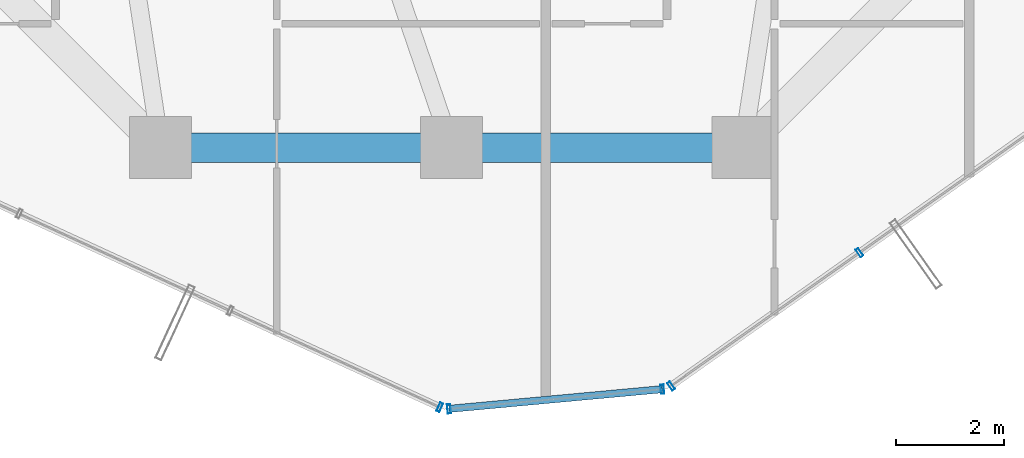
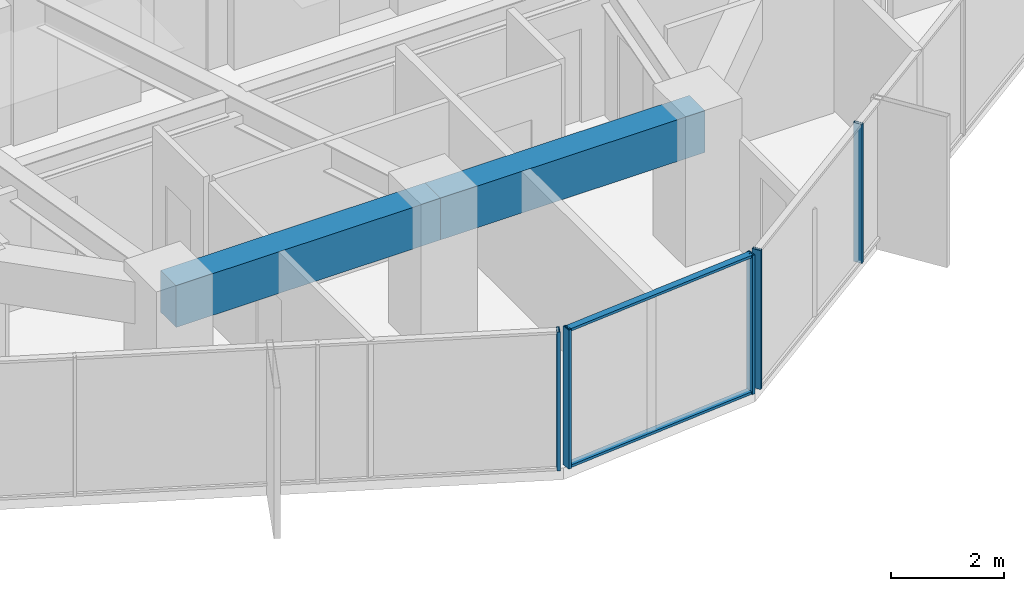
# One storey, part 6 of 33: 7 members, 2 beams, 3 elements without a shape of their own.
"""IFC4 building model written with IfcOpenShell, lengths in metres."""

import ifcopenshell
import ifcopenshell.guid

model = None  # the IFC model being written
_history = None  # IfcOwnerHistory: only IFC2X3 demands one
_inside = {}  # id of a spatial element -> (the spatial element, [elements in it])
_under = {}  # id of a project, library or spatial element -> (it, [spatial elements below it])
_declared = {}  # id of a project -> (the project, [libraries it declares])
_typed = {}  # id of a type object -> (the type object, [elements of that type])
_made_of = {}  # id of a material, layer set ... -> (it, [elements and type objects made of it])


def new_model(schema):
    """Start an empty IFC model of exactly this schema.

    Asked for "IFC4X3", IfcOpenShell would pick the latest addendum, in which some entities
    have other attributes; the version numbers below select the first issue.
    IFC2X3 requires an IfcOwnerHistory on every rooted entity: one is made here for all.
    """
    global model, _history
    if schema == "IFC4X3":
        model = ifcopenshell.file(schema_version=(4, 3, 0, 0))
    else:
        model = ifcopenshell.file(schema=schema)
    _inside.clear()
    _under.clear()
    _declared.clear()
    _typed.clear()
    _made_of.clear()
    _history = None
    if model.schema == "IFC2X3":
        org = make("IfcOrganization", Name="unknown")
        user = make(
            "IfcPersonAndOrganization",
            ThePerson=make("IfcPerson", FamilyName="unknown"),
            TheOrganization=org,
        )
        app = make(
            "IfcApplication",
            ApplicationDeveloper=org,
            Version="unknown",
            ApplicationFullName="unknown",
            ApplicationIdentifier="unknown",
        )
        _history = make(
            "IfcOwnerHistory",
            OwningUser=user,
            OwningApplication=app,
            ChangeAction="ADDED",
            CreationDate=0,
        )
    return model


def make(cls, **values):
    """One entity of the class cls with the attributes given. An attribute that is None is left unset."""
    return model.create_entity(
        cls, **{name: value for name, value in values.items() if value is not None}
    )


def rooted(cls, **values):
    """An entity with a GlobalId (a new one), such as an element, a storey or a relation."""
    return make(cls, GlobalId=ifcopenshell.guid.new(), OwnerHistory=_history, **values)


def si_unit(unit_type, name, prefix=None):
    """IfcSIUnit, for example si_unit("LENGTHUNIT", "METRE", prefix="MILLI")."""
    return make("IfcSIUnit", UnitType=unit_type, Prefix=prefix, Name=name)


def assignment(units):
    """IfcUnitAssignment: the units of a project."""
    return None if units is None else make("IfcUnitAssignment", Units=units)


def point(xyz):
    """IfcCartesianPoint."""
    return None if xyz is None else make("IfcCartesianPoint", Coordinates=xyz)


def direction(xyz):
    """IfcDirection."""
    return None if xyz is None else make("IfcDirection", DirectionRatios=xyz)


def frame(location, z_axis=None, x_axis=None):
    """IfcAxis2Placement3D, a coordinate frame: its origin and axes. An axis left out is left unset."""
    return make(
        "IfcAxis2Placement3D",
        Location=point(location),
        Axis=direction(z_axis),
        RefDirection=direction(x_axis),
    )


def frame_2d(location, x_axis=None):
    """IfcAxis2Placement2D, a coordinate frame in the plane: its origin and x axis."""
    return make(
        "IfcAxis2Placement2D", Location=point(location), RefDirection=direction(x_axis)
    )


def origin():
    """The frame at (0, 0, 0) with its axes left unset."""
    return frame((0.0, 0.0, 0.0))


def origin_2d():
    """The frame at (0, 0) in the plane with its x axis left unset."""
    return frame_2d((0.0, 0.0))


def place(relative_to, where):
    """IfcLocalPlacement: puts the frame where relative to a parent placement (None: the world)."""
    return make(
        "IfcLocalPlacement", PlacementRelTo=relative_to, RelativePlacement=where
    )


def context(
    kind, dimensions, precision=None, world=None, true_north=None, identifier=None
):
    """IfcGeometricRepresentationContext, for example the 3D "Model" context."""
    return make(
        "IfcGeometricRepresentationContext",
        ContextIdentifier=identifier,
        ContextType=kind,
        CoordinateSpaceDimension=dimensions,
        Precision=precision,
        WorldCoordinateSystem=world,
        TrueNorth=true_north,
    )


def subcontext(parent, identifier, kind, view, scale=None):
    """IfcGeometricRepresentationSubContext, for example "Body" below "Model"."""
    return make(
        "IfcGeometricRepresentationSubContext",
        ContextIdentifier=identifier,
        ContextType=kind,
        ParentContext=parent,
        TargetScale=scale,
        TargetView=view,
    )


def project(units=None, contexts=None):
    """IfcProject with its units and contexts."""
    return rooted(
        "IfcProject",
        Name="project",
        RepresentationContexts=contexts,
        UnitsInContext=assignment(units),
    )


def spatial(cls, under=None, at=None, **own):
    """A site, building, storey or space (cls), placed at a placement, below another one or the project."""
    s = rooted(cls, ObjectPlacement=at, **own)
    if under is not None:
        _under.setdefault(under.id(), (under, []))[1].append(s)
    return s


def profile(cls, at=None, kind="AREA", **sizes):
    """A parametric profile (cls). Its sizes go by their IFC names, for example OverallWidth=200.0."""
    return make(cls, ProfileType=kind, Position=at, **sizes)


def rectangle(**sizes):
    """IfcRectangleProfileDef."""
    return profile("IfcRectangleProfileDef", **sizes)


def hollow_rectangle(**sizes):
    """IfcRectangleHollowProfileDef."""
    return profile("IfcRectangleHollowProfileDef", **sizes)


def extrude(swept, where, along, depth):
    """IfcExtrudedAreaSolid: the profile swept, set in the frame where, extruded along a direction by depth."""
    return make(
        "IfcExtrudedAreaSolid",
        SweptArea=swept,
        Position=where,
        ExtrudedDirection=direction(along),
        Depth=depth,
    )


def shape(context_of_items, identifier, shape_type, items):
    """IfcShapeRepresentation: the items that make up one representation, for example the "Body"."""
    return make(
        "IfcShapeRepresentation",
        ContextOfItems=context_of_items,
        RepresentationIdentifier=identifier,
        RepresentationType=shape_type,
        Items=items,
    )


def source(mapping_origin, context_of_items, identifier, shape_type, items):
    """IfcRepresentationMap: a shape defined once, which mapped items show again and again."""
    return make(
        "IfcRepresentationMap",
        MappingOrigin=mapping_origin,
        MappedRepresentation=shape(context_of_items, identifier, shape_type, items),
    )


def transform(
    local_origin,
    x_axis=None,
    y_axis=None,
    z_axis=None,
    scale=None,
    scale2=None,
    scale3=None,
    uniform=True,
):
    """IfcCartesianTransformationOperator3D, or its non-uniform kind. x_axis, y_axis, z_axis: its Axis1, 2, 3."""
    if uniform:
        return make(
            "IfcCartesianTransformationOperator3D",
            Axis1=direction(x_axis),
            Axis2=direction(y_axis),
            LocalOrigin=point(local_origin),
            Scale=scale,
            Axis3=direction(z_axis),
        )
    return make(
        "IfcCartesianTransformationOperator3DnonUniform",
        Axis1=direction(x_axis),
        Axis2=direction(y_axis),
        LocalOrigin=point(local_origin),
        Scale=scale,
        Axis3=direction(z_axis),
        Scale2=scale2,
        Scale3=scale3,
    )


def mapped(mapping_source, mapping_target):
    """IfcMappedItem: shows the shape of a source again, moved by a transform."""
    return make(
        "IfcMappedItem", MappingSource=mapping_source, MappingTarget=mapping_target
    )


def material(Name=None, Category=None):
    """IfcMaterial."""
    return make("IfcMaterial", Name=Name, Category=Category)


def layer(
    of_material, thickness, ventilated=None, Name=None, Category=None, Priority=None
):
    """IfcMaterialLayer: one layer of a wall or slab, of a material (None: an air gap)."""
    return make(
        "IfcMaterialLayer",
        Material=of_material,
        LayerThickness=thickness,
        IsVentilated=ventilated,
        Name=Name,
        Category=Category,
        Priority=Priority,
    )


def layer_set(layers, Name=None):
    """IfcMaterialLayerSet."""
    return make("IfcMaterialLayerSet", MaterialLayers=layers, LayerSetName=Name)


def material_profile(
    of_material, cross_section, Name=None, Category=None, Priority=None
):
    """IfcMaterialProfile: a cross section and its material."""
    return make(
        "IfcMaterialProfile",
        Name=Name,
        Material=of_material,
        Profile=cross_section,
        Priority=Priority,
        Category=Category,
    )


def profile_set(profiles, Name=None, composite=None):
    """IfcMaterialProfileSet."""
    return make(
        "IfcMaterialProfileSet",
        Name=Name,
        MaterialProfiles=profiles,
        CompositeProfile=composite,
    )


def made_of(thing, what):
    """Note that an element or type object is made of a material, layer set ...; save() writes the relation."""
    if what is not None:
        _made_of.setdefault(what.id(), (what, []))[1].append(thing)
    return thing


def type_object(cls, material=None, **own):
    """A type object (cls), such as IfcWallType, which elements share."""
    return made_of(rooted(cls, **own), material)


def element(
    cls,
    number,
    at=None,
    inside=None,
    cuts=None,
    type_object=None,
    material=None,
    context=None,
    identifier="Body",
    shape_type=None,
    held_by="IfcProductDefinitionShape",
    body=None,
    shapes=None,
    **own,
):
    """One element of the class cls, such as IfcWall. Its Tag is "e" and its number.

    at: its placement. inside: the storey or other place that contains it. cuts: it is an
    opening in that element (IfcRelVoidsElement). A single representation is given by context,
    identifier, shape_type and body (its items); several are given by shapes. held_by: the class
    of the entity that holds the representations. save() writes the other relations.
    """
    e = rooted(cls, Tag="e%d" % number, ObjectPlacement=at, **own)
    if body is not None:
        shapes = [shape(context, identifier, shape_type, body)]
    if shapes is not None:
        e.Representation = make(held_by, Representations=shapes)
    if inside is not None:
        _inside.setdefault(inside.id(), (inside, []))[1].append(e)
    if cuts is not None:
        rooted(
            "IfcRelVoidsElement", RelatingBuildingElement=cuts, RelatedOpeningElement=e
        )
    if type_object is not None:
        _typed.setdefault(type_object.id(), (type_object, []))[1].append(e)
    return made_of(e, material)


def aggregate(whole, parts):
    """IfcRelAggregates: a whole, such as a stair, and the parts it consists of."""
    return rooted("IfcRelAggregates", RelatingObject=whole, RelatedObjects=parts)


def save(model, path):
    """Write the relations noted so far, then the file.

    IfcRelAggregates (storeys below a building ...), IfcRelContainedInSpatialStructure (elements
    in a storey), IfcRelDefinesByType, IfcRelAssociatesMaterial and IfcRelDeclares: one each for
    every whole, place, type object, material and project.
    """
    for whole, parts in _under.values():
        aggregate(whole, parts)
    for where, things in _inside.values():
        rooted(
            "IfcRelContainedInSpatialStructure",
            RelatedElements=things,
            RelatingStructure=where,
        )
    for kind, things in _typed.values():
        rooted("IfcRelDefinesByType", RelatedObjects=things, RelatingType=kind)
    for what, things in _made_of.values():
        rooted("IfcRelAssociatesMaterial", RelatedObjects=things, RelatingMaterial=what)
    for by, libraries in _declared.values():
        rooted("IfcRelDeclares", RelatingContext=by, RelatedDefinitions=libraries)
    model.write(path)


model = new_model("IFC4")

# Units and contexts
model_context = context("Model", 3, precision=1e-05, world=origin(), true_north=direction((0.0, 1.0)))
body_context = subcontext(model_context, "Body", "Model", "MODEL_VIEW")
ifc_project = project(units=[si_unit("LENGTHUNIT", "METRE"), si_unit("AREAUNIT", "SQUARE_METRE"), si_unit("VOLUMEUNIT", "CUBIC_METRE"), si_unit("PLANEANGLEUNIT", "RADIAN"), si_unit("MASSUNIT", "GRAM", prefix="KILO")], contexts=[model_context])

# Site, building, storey
site_placement = place(None, origin())
site = spatial("IfcSite", under=ifc_project, at=site_placement, CompositionType="ELEMENT")
building_placement = place(site_placement, origin())
building = spatial("IfcBuilding", under=site, at=building_placement, Name="Veraguas Prism Commons", CompositionType="ELEMENT")
storey_placement = place(building_placement, frame((0.0, 0.0, 145.75)))
storey = spatial("IfcBuildingStorey", under=building, at=storey_placement, Name="L41", CompositionType="ELEMENT", Elevation=145.75)

# Beams
ifc_material_1 = material(Name="Concrete C50/60", Category="concrete")
ifc_material_profile_1 = material_profile(ifc_material_1, rectangle(XDim=0.550048828125, YDim=0.89990234375, at=origin_2d()), Name="RC550X900")
ifc_profile_set_1 = profile_set([ifc_material_profile_1], Name="Concrete C50/60")
beam_type = type_object("IfcBeamType", Name="Perimeter Spandrel Lower RC 550x900", PredefinedType="SPANDREL", material=ifc_profile_set_1)
for number, where, z_axis, x_axis, name in (
    (1, (18.60009765625, 7.800048828125, 2.550048828125), (1.0, 0.0, 0.0), (0.0, 1.0, 0.0), "Perimeter Spandrel Beam L41-SP10"),
    (2, (24.0, 7.800048828125, 2.550048828125), (1.0, 0.0, 0.0), (0.0, 1.0, 0.0), "Perimeter Spandrel Beam L41-SP11"),
):
    element("IfcBeam", number, at=place(storey_placement, frame(where, z_axis=z_axis, x_axis=x_axis)), inside=storey, type_object=beam_type, Name=name, PredefinedType="SPANDREL", context=body_context, shape_type="SweptSolid", body=[
        extrude(rectangle(XDim=0.550048828125, YDim=0.89990234375, at=origin_2d()), origin(), (0.0, 0.0, 1.0), 5.39990234375),
    ])

# Curtain wall, member
ifc_material_2 = material(Name="Anodised aluminium EN AW-6063 T6", Category="aluminium")
ifc_layer = layer(ifc_material_2, 0.169921875, Name="Unitised Flush Curtain Wall Zone 2", Category="aluminium")
ifc_layer_set = layer_set([ifc_layer], Name="Anodised aluminium EN AW-6063 T6")
curtain_wall_type = type_object("IfcCurtainWallType", Name="Unitised Flush Curtain Wall Zone 2", PredefinedType="NOTDEFINED", material=ifc_layer_set)
curtain_wall_1_placement = place(storey_placement, origin())
curtain_wall_1 = element("IfcCurtainWall", 3, at=curtain_wall_1_placement, inside=storey, type_object=curtain_wall_type, Name="Tower Facade Curtain Wall L41-F4", PredefinedType="NOTDEFINED")
ifc_material_profile_2 = material_profile(ifc_material_2, hollow_rectangle(XDim=0.06005859375, YDim=0.169921875, WallThickness=0.00390625, at=origin_2d()), Name="AL60X170X4")
ifc_profile_set_2 = profile_set([ifc_material_profile_2], Name="Anodised aluminium EN AW-6063 T6")
member_type_1 = type_object("IfcMemberType", Name="Curtain Wall Mullion Lower AL 60x170x4", PredefinedType="MULLION", material=ifc_profile_set_2)
shared_shape_1 = source(origin(), body_context, "Body", "SweptSolid", [
    extrude(hollow_rectangle(XDim=0.06005859375, YDim=0.169921875, WallThickness=0.00390625, at=origin_2d()), origin(), (0.0, 0.0, 1.0), 3.0),
])
member_1_placement = place(storey_placement, frame((23.778564453125, 2.984375, 0.0), z_axis=(0.0, 0.0, 1.0), x_axis=(0.908362988922, -0.418182592124, 0.0)))
member_1 = element("IfcMember", 4, at=member_1_placement, type_object=member_type_1, Name="CW-Z2 Mullion 5", PredefinedType="MULLION", context=body_context, shape_type="MappedRepresentation", body=[
    mapped(shared_shape_1, transform((0.0, 0.0, 0.0), scale=1.0)),
])
aggregate(curtain_wall_1, [member_1])

# Curtain wall, members
curtain_wall_2_placement = place(storey_placement, origin())
curtain_wall_2 = element("IfcCurtainWall", 5, at=curtain_wall_2_placement, inside=storey, type_object=curtain_wall_type, Name="Tower Facade Curtain Wall L41-F5", PredefinedType="NOTDEFINED")
member_2_placement = place(storey_placement, frame((28.069091796875, 3.380859375, 0.0), z_axis=(0.0, 0.0, 1.0), x_axis=(0.81634227487, 0.577568429072, 0.0)))
member_2 = element("IfcMember", 6, at=member_2_placement, type_object=member_type_1, Name="CW-Z2 Mullion 1", PredefinedType="MULLION", context=body_context, shape_type="MappedRepresentation", body=[
    mapped(shared_shape_1, transform((0.0, 0.0, 0.0), scale=1.0)),
])
member_3_placement = place(storey_placement, frame((31.56201171875, 5.85205078125, 0.0), z_axis=(0.0, 0.0, 1.0), x_axis=(0.81634227487, 0.577568429072, 0.0)))
member_3 = element("IfcMember", 7, at=member_3_placement, type_object=member_type_1, Name="CW-Z2 Mullion 2", PredefinedType="MULLION", context=body_context, shape_type="MappedRepresentation", body=[
    mapped(shared_shape_1, transform((0.0, 0.0, 0.0), scale=1.0)),
])
aggregate(curtain_wall_2, [member_2, member_3])

curtain_wall_3_placement = place(storey_placement, origin())
curtain_wall_3 = element("IfcCurtainWall", 8, at=curtain_wall_3_placement, inside=storey, type_object=curtain_wall_type, Name="Chamfer Curtain Wall L41-C5", PredefinedType="NOTDEFINED")
member_4_placement = place(storey_placement, frame((23.94970703125, 2.955078125, 0.0), z_axis=(0.0, 0.0, 1.0), x_axis=(0.995755756591, 0.092035173796, 0.0)))
member_4 = element("IfcMember", 9, at=member_4_placement, type_object=member_type_1, Name="CW-Z2 Mullion 1", PredefinedType="MULLION", context=body_context, shape_type="MappedRepresentation", body=[
    mapped(shared_shape_1, transform((0.0, 0.0, 0.0), scale=1.0)),
])
member_5_placement = place(storey_placement, frame((27.906005859375, 3.320556640625, 0.0), z_axis=(0.0, 0.0, 1.0), x_axis=(0.995755756591, 0.092035173796, 0.0)))
member_5 = element("IfcMember", 10, at=member_5_placement, type_object=member_type_1, Name="CW-Z2 Mullion 2", PredefinedType="MULLION", context=body_context, shape_type="MappedRepresentation", body=[
    mapped(shared_shape_1, transform((0.0, 0.0, 0.0), scale=1.0)),
])
ifc_material_profile_3 = material_profile(ifc_material_2, hollow_rectangle(XDim=0.054931640625, YDim=0.135009765625, WallThickness=0.0029296875, at=origin_2d()), Name="AL55X135X3")
ifc_profile_set_3 = profile_set([ifc_material_profile_3], Name="Anodised aluminium EN AW-6063 T6")
member_type_2 = type_object("IfcMemberType", Name="Curtain Wall Transom Standard AL 55x135x3", PredefinedType="USERDEFINED", material=ifc_profile_set_3)
shared_shape_2 = source(origin(), body_context, "Body", "SweptSolid", [
    extrude(hollow_rectangle(XDim=0.054931640625, YDim=0.135009765625, WallThickness=0.0029296875, at=origin_2d()), origin(), (0.0, 0.0, 1.0), 3.97314453125),
])
member_6_placement = place(storey_placement, frame((23.94970703125, 2.955078125, 0.027587890625), z_axis=(0.995760187104, 0.091987226171, 0.0), x_axis=(0.0, 0.0, 1.0)))
member_6 = element("IfcMember", 11, at=member_6_placement, type_object=member_type_2, Name="CW-Z2 Transom 1", ObjectType="TRANSOM", PredefinedType="USERDEFINED", context=body_context, shape_type="MappedRepresentation", body=[
    mapped(shared_shape_2, transform((0.0, 0.0, 0.0), scale=1.0)),
])
member_7_placement = place(storey_placement, frame((23.94970703125, 2.955078125, 2.972412109375), z_axis=(0.995760187104, 0.091987226171, 0.0), x_axis=(0.0, 0.0, 1.0)))
member_7 = element("IfcMember", 12, at=member_7_placement, type_object=member_type_2, Name="CW-Z2 Transom 2", ObjectType="TRANSOM", PredefinedType="USERDEFINED", context=body_context, shape_type="MappedRepresentation", body=[
    mapped(shared_shape_2, transform((0.0, 0.0, 0.0), scale=1.0)),
])
aggregate(curtain_wall_3, [member_4, member_5, member_6, member_7])

save(model, "model.ifc")
